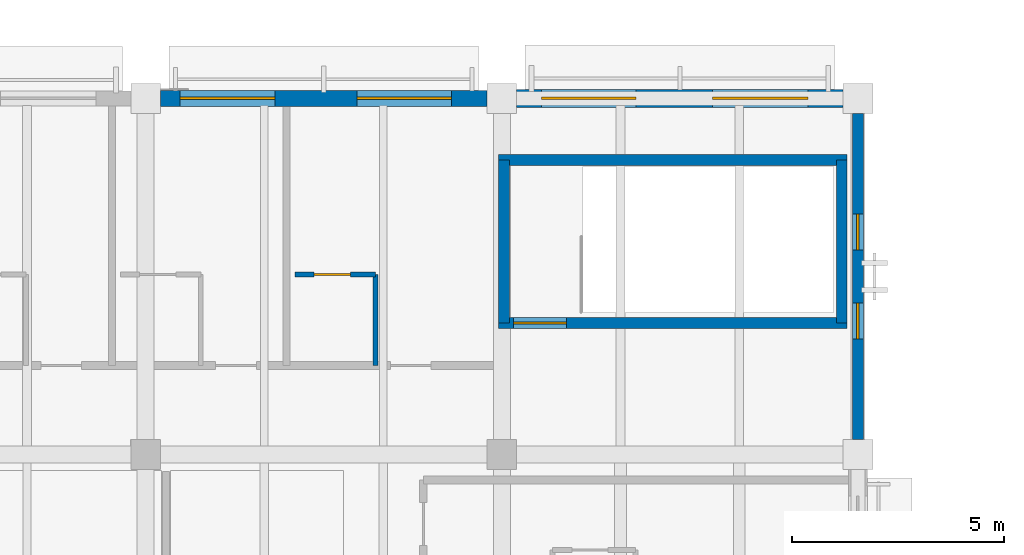
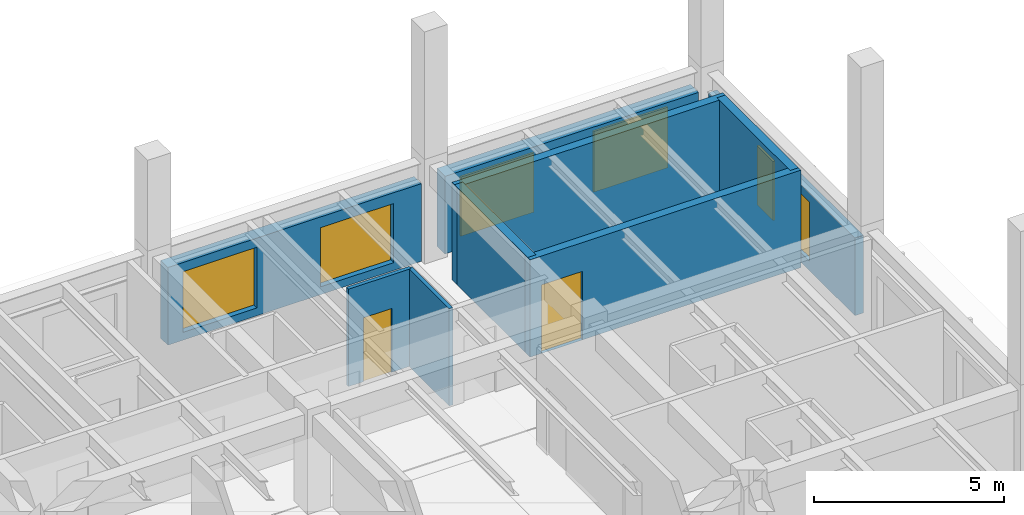
# One storey, part 96 of 123: 9 walls, 6 windows, 2 doors, 8 openings.
"""IFC4 building model written with IfcOpenShell, lengths in metres."""

from ifc_helpers import new_model, si_unit, direction, frame, frame_2d, origin, place, context, subcontext, project, spatial, rectangle, extrude, material, layer, layer_set, type_object, element, fill, save


model = new_model("IFC4")

# Units and contexts
model_context = context("Model", 3, precision=1e-05, world=origin(), true_north=direction((0.0, 1.0)))
body_context = subcontext(model_context, "Body", "Model", "MODEL_VIEW")
ifc_project = project(units=[si_unit("LENGTHUNIT", "METRE"), si_unit("AREAUNIT", "SQUARE_METRE"), si_unit("VOLUMEUNIT", "CUBIC_METRE"), si_unit("PLANEANGLEUNIT", "RADIAN"), si_unit("MASSUNIT", "GRAM", prefix="KILO")], contexts=[model_context])

# Site, building, storey
site_placement = place(None, origin())
site = spatial("IfcSite", under=ifc_project, at=site_placement, CompositionType="ELEMENT")
building_placement = place(site_placement, origin())
building = spatial("IfcBuilding", under=site, at=building_placement, Name="Cumbredor Promenade Congress Hotel", CompositionType="ELEMENT")
storey_placement = place(building_placement, frame((0.0, 0.0, 11.760009765625)))
storey = spatial("IfcBuildingStorey", under=building, at=storey_placement, Name="L03", CompositionType="ELEMENT", Elevation=11.760009765625)

# Wall, opening, door
ifc_material_1 = material(Name="Moisture-resistant gypsum board on steel studs", Category="steel")
ifc_layer_1 = layer(ifc_material_1, 0.114990234375, Name="Moisture-resistant gypsum board on steel studs", Category="steel")
ifc_layer_set_1 = layer_set([ifc_layer_1], Name="Moisture-resistant gypsum board on steel studs")
wall_type_1 = type_object("IfcWallType", Name="WL-BATH-115", PredefinedType="PARTITIONING", material=ifc_layer_set_1)
wall_1_placement = place(storey_placement, frame((163.1201171875, 113.449951171875, 0.0), z_axis=(0.0, 0.0, 1.0), x_axis=(1.0, 0.0, 0.0)))
wall_1 = element("IfcWall", 1, at=wall_1_placement, inside=storey, type_object=wall_type_1, Name="L03 Interior Partition W-L03-FBH-F0312", PredefinedType="PARTITIONING", context=body_context, shape_type="SweptSolid", body=[
    extrude(rectangle(XDim=1.89990234375, YDim=0.114990234375, at=frame_2d((0.949951171875, 0.0))), origin(), (0.0, 0.0, 1.0), 3.125),
])
opening_1_placement = place(wall_1_placement, frame((0.449951171875, 0.0, 0.0)))
opening_1 = element("IfcOpeningElement", 2, at=opening_1_placement, cuts=wall_1, Name="Opening ID-01", PredefinedType="OPENING", context=body_context, shape_type="SweptSolid", body=[
    extrude(rectangle(XDim=0.860107421875, YDim=2.050048828125, at=frame_2d((0.43017578125, 1.02490234375))), frame((0.0, 0.0673828125, 0.0), z_axis=(0.0, -1.0, 0.0), x_axis=(1.0, 0.0, 0.0)), (0.0, 0.0, 1.0), 0.135009765625),
])
ifc_material_2 = material(Name="Kiln-dried tropical hardwood", Category="wood")
door_type_1 = type_object("IfcDoorType", Name="DR-BATH-860", OperationType="NOTDEFINED", PredefinedType="DOOR", material=ifc_material_2)
door_1_placement = place(opening_1_placement, origin())
door_1 = element("IfcDoor", 3, at=door_1_placement, inside=storey, type_object=door_type_1, Name="L03 Interior Door W-L03-FBH-F0312-01", OperationType="SINGLE_SWING_RIGHT", OverallHeight=2.050048828125, OverallWidth=0.860107421875, PredefinedType="DOOR", context=body_context, shape_type="SweptSolid", body=[
    extrude(rectangle(XDim=0.860107421875, YDim=2.050048828125, at=frame_2d((0.43017578125, 1.02490234375))), frame((0.0, 0.02490234375, 0.0), z_axis=(0.0, -1.0, 0.0), x_axis=(1.0, 0.0, 0.0)), (0.0, 0.0, 1.0), 0.050048828125),
])
fill(opening_1, door_1)

# Wall
wall_2_placement = place(storey_placement, frame((165.02001953125, 111.300048828125, 0.0), z_axis=(0.0, 0.0, 1.0), x_axis=(0.0, 1.0, 0.0)))
element("IfcWall", 4, at=wall_2_placement, inside=storey, type_object=wall_type_1, Name="L03 Interior Partition W-L03-FBV-F0312", PredefinedType="PARTITIONING", context=body_context, shape_type="SweptSolid", body=[
    extrude(rectangle(XDim=2.14990234375, YDim=0.114990234375, at=frame_2d((1.074951171875, 0.0))), origin(), (0.0, 0.0, 1.0), 3.125),
])

# Wall, openings, windows
ifc_material_3 = material(Name="Concrete C40/50", Category="concrete")
ifc_layer_2 = layer(ifc_material_3, 0.260009765625, Name="Concrete C40/50", Category="concrete")
ifc_layer_set_2 = layer_set([ifc_layer_2], Name="Concrete C40/50")
wall_type_2 = type_object("IfcWallType", Name="WL-EXT-260", PredefinedType="SOLIDWALL", material=ifc_layer_set_2)
wall_3_placement = place(storey_placement, frame((176.39990234375, 109.551025390625, 0.0), z_axis=(0.0, 0.0, 1.0), x_axis=(0.0, 1.0, 0.0)))
wall_3 = element("IfcWall", 5, at=wall_3_placement, inside=storey, type_object=wall_type_2, Name="L03 Pre-Function and Breakout Meeting Forum East Envelope Wall 4", PredefinedType="SOLIDWALL", context=body_context, shape_type="SweptSolid", body=[
    extrude(rectangle(XDim=7.697998046875, YDim=0.260009765625, at=frame_2d((3.84912109375, 0.0))), origin(), (0.0, 0.0, 1.0), 2.493896484375),
])
opening_2_placement = place(wall_3_placement, frame((2.3740234375, 0.0, 0.300048828125)))
opening_2 = element("IfcOpeningElement", 6, at=opening_2_placement, cuts=wall_3, Name="Opening WN-67", PredefinedType="OPENING", context=body_context, shape_type="SweptSolid", body=[
    extrude(rectangle(XDim=0.85009765625, YDim=1.89990234375, at=frame_2d((0.425048828125, 0.949951171875))), frame((0.0, 0.14013671875, 0.0), z_axis=(0.0, -1.0, 0.0), x_axis=(1.0, 0.0, 0.0)), (0.0, 0.0, 1.0), 0.280029296875),
])
opening_3_placement = place(wall_3_placement, frame((4.47412109375, 0.0, 0.300048828125)))
opening_3 = element("IfcOpeningElement", 7, at=opening_3_placement, cuts=wall_3, Name="Opening WN-67", PredefinedType="OPENING", context=body_context, shape_type="SweptSolid", body=[
    extrude(rectangle(XDim=0.85009765625, YDim=1.89990234375, at=frame_2d((0.425048828125, 0.949951171875))), frame((0.0, 0.14013671875, 0.0), z_axis=(0.0, -1.0, 0.0), x_axis=(1.0, 0.0, 0.0)), (0.0, 0.0, 1.0), 0.280029296875),
])
ifc_material_4 = material(Name="Thermally broken anodized aluminium and low-E glass", Category="aluminium")
window_type_1 = type_object("IfcWindowType", Name="Vertical Slot Window WN-67 850x1900", PartitioningType="SINGLE_PANEL", PredefinedType="WINDOW", material=ifc_material_4)
window_1_placement = place(opening_2_placement, origin())
window_1 = element("IfcWindow", 8, at=window_1_placement, inside=storey, type_object=window_type_1, Name="L03 Vertical Slot Window 0400", OverallHeight=1.89990234375, OverallWidth=0.85009765625, PartitioningType="SINGLE_PANEL", PredefinedType="WINDOW", context=body_context, shape_type="SweptSolid", body=[
    extrude(rectangle(XDim=0.85009765625, YDim=1.89990234375, at=frame_2d((0.425048828125, 0.949951171875))), frame((0.0, 0.030029296875, 0.0), z_axis=(0.0, -1.0, 0.0), x_axis=(1.0, 0.0, 0.0)), (0.0, 0.0, 1.0), 0.06005859375),
])
fill(opening_2, window_1)
window_2_placement = place(opening_3_placement, origin())
window_2 = element("IfcWindow", 9, at=window_2_placement, inside=storey, type_object=window_type_1, Name="L03 Vertical Slot Window 0401", OverallHeight=1.89990234375, OverallWidth=0.85009765625, PartitioningType="SINGLE_PANEL", PredefinedType="WINDOW", context=body_context, shape_type="SweptSolid", body=[
    extrude(rectangle(XDim=0.85009765625, YDim=1.89990234375, at=frame_2d((0.425048828125, 0.949951171875))), frame((0.0, 0.030029296875, 0.0), z_axis=(0.0, -1.0, 0.0), x_axis=(1.0, 0.0, 0.0)), (0.0, 0.0, 1.0), 0.06005859375),
])
fill(opening_3, window_2)

ifc_layer_3 = layer(ifc_material_3, 0.3798828125, Name="Concrete C40/50", Category="concrete")
ifc_layer_set_3 = layer_set([ifc_layer_3], Name="Concrete C40/50")
wall_type_3 = type_object("IfcWallType", Name="WL-EXT-380", PredefinedType="SOLIDWALL", material=ifc_layer_set_3)
wall_4_placement = place(storey_placement, frame((159.950927734375, 117.60009765625, 0.0), z_axis=(0.0, 0.0, 1.0), x_axis=(1.0, 0.0, 0.0)))
wall_4 = element("IfcWall", 10, at=wall_4_placement, inside=storey, type_object=wall_type_3, Name="L03 Pre-Function and Breakout Meeting Forum North Envelope Wall 9", PredefinedType="SOLIDWALL", context=body_context, shape_type="SweptSolid", body=[
    extrude(rectangle(XDim=7.697998046875, YDim=0.3798828125, at=frame_2d((3.84912109375, 0.0))), origin(), (0.0, 0.0, 1.0), 2.493896484375),
])
opening_4_placement = place(wall_4_placement, frame((0.4541015625, 0.0, 0.25)))
opening_4 = element("IfcOpeningElement", 11, at=opening_4_placement, cuts=wall_4, Name="Opening WN-07", PredefinedType="OPENING", context=body_context, shape_type="SweptSolid", body=[
    extrude(rectangle(XDim=2.25, YDim=1.949951171875, at=frame_2d((1.125, 0.97509765625))), frame((0.0, 0.199951171875, 0.0), z_axis=(0.0, -1.0, 0.0), x_axis=(1.0, 0.0, 0.0)), (0.0, 0.0, 1.0), 0.39990234375),
])
opening_5_placement = place(wall_4_placement, frame((4.638916015625, 0.0, 0.25)))
opening_5 = element("IfcOpeningElement", 12, at=opening_5_placement, cuts=wall_4, Name="Opening WN-35", PredefinedType="OPENING", context=body_context, shape_type="SweptSolid", body=[
    extrude(rectangle(XDim=2.219970703125, YDim=1.89990234375, at=frame_2d((1.10986328125, 0.949951171875))), frame((0.0, 0.199951171875, 0.0), z_axis=(0.0, -1.0, 0.0), x_axis=(1.0, 0.0, 0.0)), (0.0, 0.0, 1.0), 0.39990234375),
])
window_type_2 = type_object("IfcWindowType", Name="Hospitality Floor-to-Ceiling Window WN-07 2250x1950", PartitioningType="DOUBLE_PANEL_VERTICAL", PredefinedType="WINDOW", material=ifc_material_4)
window_3_placement = place(opening_4_placement, origin())
window_3 = element("IfcWindow", 13, at=window_3_placement, inside=storey, type_object=window_type_2, Name="L03 Wide Hospitality Window 0386", OverallHeight=1.949951171875, OverallWidth=2.25, PartitioningType="DOUBLE_PANEL_VERTICAL", PredefinedType="WINDOW", context=body_context, shape_type="SweptSolid", body=[
    extrude(rectangle(XDim=2.25, YDim=1.949951171875, at=frame_2d((1.125, 0.97509765625))), frame((0.0, 0.030029296875, 0.0), z_axis=(0.0, -1.0, 0.0), x_axis=(1.0, 0.0, 0.0)), (0.0, 0.0, 1.0), 0.06005859375),
])
fill(opening_4, window_3)
window_type_3 = type_object("IfcWindowType", Name="Hospitality Floor-to-Ceiling Window WN-35 2220x1900", PartitioningType="DOUBLE_PANEL_VERTICAL", PredefinedType="WINDOW", material=ifc_material_4)
window_4_placement = place(opening_5_placement, origin())
window_4 = element("IfcWindow", 14, at=window_4_placement, inside=storey, type_object=window_type_3, Name="L03 Wide Hospitality Window 0387", OverallHeight=1.89990234375, OverallWidth=2.219970703125, PartitioningType="DOUBLE_PANEL_VERTICAL", PredefinedType="WINDOW", context=body_context, shape_type="SweptSolid", body=[
    extrude(rectangle(XDim=2.219970703125, YDim=1.89990234375, at=frame_2d((1.10986328125, 0.949951171875))), frame((0.0, 0.030029296875, 0.0), z_axis=(0.0, -1.0, 0.0), x_axis=(1.0, 0.0, 0.0)), (0.0, 0.0, 1.0), 0.06005859375),
])
fill(opening_5, window_4)

ifc_layer_4 = layer(ifc_material_3, 0.425048828125, Name="Concrete C40/50", Category="concrete")
ifc_layer_set_4 = layer_set([ifc_layer_4], Name="Concrete C40/50")
wall_type_4 = type_object("IfcWallType", Name="WL-EXT-425", PredefinedType="SOLIDWALL", material=ifc_layer_set_4)
wall_5_placement = place(storey_placement, frame((168.35107421875, 117.60009765625, 0.0), z_axis=(0.0, 0.0, 1.0), x_axis=(1.0, 0.0, 0.0)))
wall_5 = element("IfcWall", 15, at=wall_5_placement, inside=storey, type_object=wall_type_4, Name="L03 Pre-Function and Breakout Meeting Forum North Envelope Wall 10", PredefinedType="SOLIDWALL", context=body_context, shape_type="SweptSolid", body=[
    extrude(rectangle(XDim=7.697998046875, YDim=0.425048828125, at=frame_2d((3.84912109375, 0.0))), origin(), (0.0, 0.0, 1.0), 2.493896484375),
])
opening_6_placement = place(wall_5_placement, frame((0.589111328125, 0.0, 0.25)))
opening_6 = element("IfcOpeningElement", 16, at=opening_6_placement, cuts=wall_5, Name="Opening WN-35", PredefinedType="OPENING", context=body_context, shape_type="SweptSolid", body=[
    extrude(rectangle(XDim=2.219970703125, YDim=1.89990234375, at=frame_2d((1.10986328125, 0.949951171875))), frame((0.0, 0.22265625, 0.0), z_axis=(0.0, -1.0, 0.0), x_axis=(1.0, 0.0, 0.0)), (0.0, 0.0, 1.0), 0.445068359375),
])
opening_7_placement = place(wall_5_placement, frame((4.6240234375, 0.0, 0.25)))
opening_7 = element("IfcOpeningElement", 17, at=opening_7_placement, cuts=wall_5, Name="Opening WN-07", PredefinedType="OPENING", context=body_context, shape_type="SweptSolid", body=[
    extrude(rectangle(XDim=2.25, YDim=1.949951171875, at=frame_2d((1.125, 0.97509765625))), frame((0.0, 0.22265625, 0.0), z_axis=(0.0, -1.0, 0.0), x_axis=(1.0, 0.0, 0.0)), (0.0, 0.0, 1.0), 0.445068359375),
])
window_5_placement = place(opening_7_placement, origin())
window_5 = element("IfcWindow", 18, at=window_5_placement, inside=storey, type_object=window_type_2, Name="L03 Wide Hospitality Window 0389", OverallHeight=1.949951171875, OverallWidth=2.25, PartitioningType="DOUBLE_PANEL_VERTICAL", PredefinedType="WINDOW", context=body_context, shape_type="SweptSolid", body=[
    extrude(rectangle(XDim=2.25, YDim=1.949951171875, at=frame_2d((1.125, 0.97509765625))), frame((0.0, 0.030029296875, 0.0), z_axis=(0.0, -1.0, 0.0), x_axis=(1.0, 0.0, 0.0)), (0.0, 0.0, 1.0), 0.06005859375),
])
fill(opening_7, window_5)
window_6_placement = place(opening_6_placement, origin())
window_6 = element("IfcWindow", 19, at=window_6_placement, inside=storey, type_object=window_type_3, Name="L03 Wide Hospitality Window 0388", OverallHeight=1.89990234375, OverallWidth=2.219970703125, PartitioningType="DOUBLE_PANEL_VERTICAL", PredefinedType="WINDOW", context=body_context, shape_type="SweptSolid", body=[
    extrude(rectangle(XDim=2.219970703125, YDim=1.89990234375, at=frame_2d((1.10986328125, 0.949951171875))), frame((0.0, 0.030029296875, 0.0), z_axis=(0.0, -1.0, 0.0), x_axis=(1.0, 0.0, 0.0)), (0.0, 0.0, 1.0), 0.06005859375),
])
fill(opening_6, window_6)

# Wall, opening, door
ifc_layer_5 = layer(ifc_material_3, 0.2548828125, Name="Concrete C40/50", Category="concrete")
ifc_layer_set_5 = layer_set([ifc_layer_5], Name="Concrete C40/50")
wall_type_5 = type_object("IfcWallType", Name="WL-SHAFT-250", PredefinedType="SOLIDWALL", material=ifc_layer_set_5)
wall_6_placement = place(storey_placement, frame((167.922607421875, 112.300048828125, 0.0), z_axis=(0.0, 0.0, 1.0), x_axis=(1.0, 0.0, 0.0)))
wall_6 = element("IfcWall", 20, at=wall_6_placement, inside=storey, type_object=wall_type_5, Name="STAIR-ST-16-L03 Shaft Wall South", PredefinedType="SOLIDWALL", context=body_context, shape_type="SweptSolid", body=[
    extrude(rectangle(XDim=8.224853515625, YDim=0.2548828125, at=frame_2d((4.1123046875, 0.0))), origin(), (0.0, 0.0, 1.0), 3.125),
])
opening_8_placement = place(wall_6_placement, frame((0.35009765625, 0.0, 0.0)))
opening_8 = element("IfcOpeningElement", 21, at=opening_8_placement, cuts=wall_6, Name="Opening SD-02", PredefinedType="OPENING", context=body_context, shape_type="SweptSolid", body=[
    extrude(rectangle(XDim=1.25, YDim=2.199951171875, at=frame_2d((0.625, 1.10009765625))), frame((0.0, 0.137451171875, 0.0), z_axis=(0.0, -1.0, 0.0), x_axis=(1.0, 0.0, 0.0)), (0.0, 0.0, 1.0), 0.27490234375),
])
ifc_material_5 = material(Name="Painted galvanized steel fire door", Category="steel")
door_type_2 = type_object("IfcDoorType", Name="DR-STAIR-FD90-1250", OperationType="NOTDEFINED", PredefinedType="DOOR", material=ifc_material_5)
door_2_placement = place(opening_8_placement, origin())
door_2 = element("IfcDoor", 22, at=door_2_placement, inside=storey, type_object=door_type_2, Name="L03 Protected Exit Stair ST-16 Door", OperationType="SINGLE_SWING_LEFT", OverallHeight=2.199951171875, OverallWidth=1.25, PredefinedType="DOOR", context=body_context, shape_type="SweptSolid", body=[
    extrude(rectangle(XDim=1.25, YDim=2.199951171875, at=frame_2d((0.625, 1.10009765625))), frame((0.0, 0.02490234375, 0.0), z_axis=(0.0, -1.0, 0.0), x_axis=(1.0, 0.0, 0.0)), (0.0, 0.0, 1.0), 0.050048828125),
])
fill(opening_8, door_2)

# Walls
wall_7_placement = place(storey_placement, frame((167.922607421875, 116.14990234375, 0.0), z_axis=(0.0, 0.0, 1.0), x_axis=(1.0, 0.0, 0.0)))
element("IfcWall", 23, at=wall_7_placement, inside=storey, type_object=wall_type_5, Name="STAIR-ST-16-L03 Shaft Wall North", PredefinedType="SOLIDWALL", context=body_context, shape_type="SweptSolid", body=[
    extrude(rectangle(XDim=8.224853515625, YDim=0.2548828125, at=frame_2d((4.1123046875, 0.0))), origin(), (0.0, 0.0, 1.0), 3.125),
])
for number, where, z_axis, x_axis, name in (
    (24, (168.050048828125, 112.300048828125, 0.0), (0.0, 0.0, 1.0), (0.0, 1.0, 0.0), "STAIR-ST-16-L03 Shaft Wall West"),
    (25, (176.02001953125, 112.300048828125, 0.0), (0.0, 0.0, 1.0), (0.0, 1.0, 0.0), "STAIR-ST-16-L03 Shaft Wall East"),
):
    element("IfcWall", number, at=place(storey_placement, frame(where, z_axis=z_axis, x_axis=x_axis)), inside=storey, type_object=wall_type_5, Name=name, PredefinedType="SOLIDWALL", context=body_context, shape_type="SweptSolid", body=[
        extrude(rectangle(XDim=3.849853515625, YDim=0.2548828125, at=frame_2d((1.9248046875, 0.0))), origin(), (0.0, 0.0, 1.0), 3.125),
    ])

save(model, "model.ifc")
